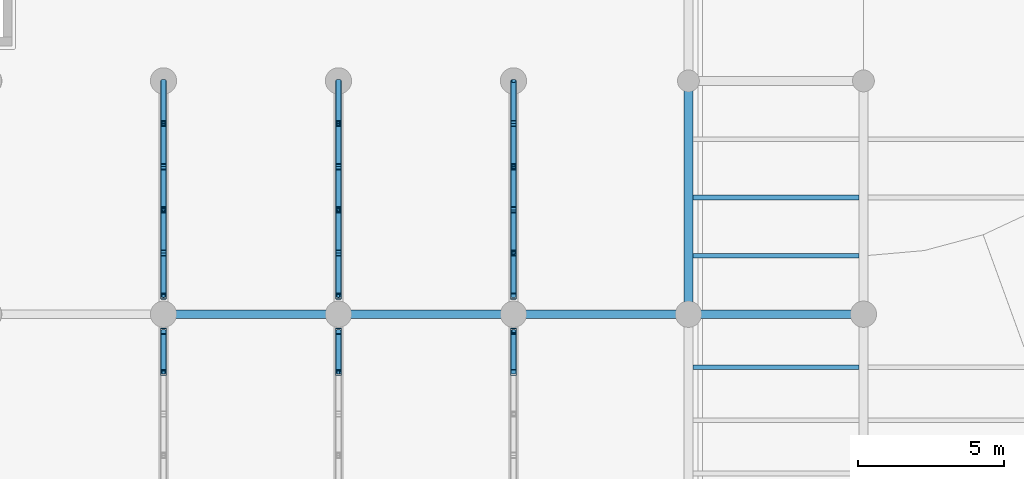
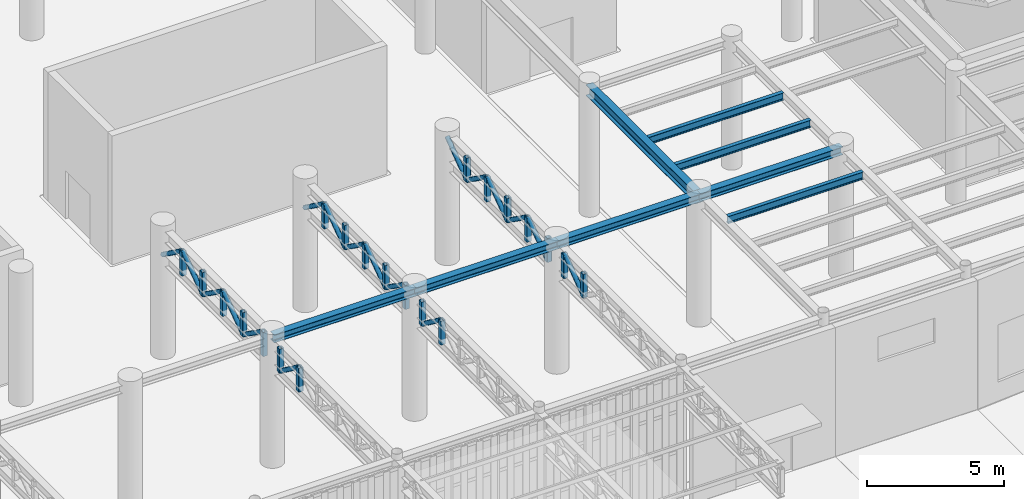
# One storey, part 29 of 118: 39 members, 8 beams.
"""IFC4 building model written with IfcOpenShell, lengths in metres."""

from ifc_helpers import new_model, si_unit, direction, frame, origin, origin_2d, place, context, subcontext, project, spatial, hollow_rectangle, hollow_circle, i_section, extrude, material, material_profile, profile_set, type_object, element, save


model = new_model("IFC4")

# Units and contexts
model_context = context("Model", 3, precision=1e-05, world=origin(), true_north=direction((0.0, 1.0)))
body_context = subcontext(model_context, "Body", "Model", "MODEL_VIEW")
ifc_project = project(units=[si_unit("LENGTHUNIT", "METRE"), si_unit("AREAUNIT", "SQUARE_METRE"), si_unit("VOLUMEUNIT", "CUBIC_METRE"), si_unit("PLANEANGLEUNIT", "RADIAN"), si_unit("MASSUNIT", "GRAM", prefix="KILO")], contexts=[model_context])

# Site, building, storey
site_placement = place(None, origin())
site = spatial("IfcSite", under=ifc_project, at=site_placement, CompositionType="ELEMENT")
building_placement = place(site_placement, origin())
building = spatial("IfcBuilding", under=site, at=building_placement, Name="Kolvaren Corner Interchange", CompositionType="ELEMENT")
storey_placement = place(building_placement, origin())
storey = spatial("IfcBuildingStorey", under=building, at=storey_placement, Name="L01", CompositionType="ELEMENT", Elevation=0.0)

# Beams
ifc_material_1 = material(Name="Steel S355", Category="steel")
ifc_material_profile_1 = material_profile(ifc_material_1, i_section(OverallWidth=0.300048828125, OverallDepth=0.35009765625, WebThickness=0.010009765625, FlangeThickness=0.017578125, FilletRadius=0.027099609375, at=origin_2d()), Name="HEA 360")
ifc_profile_set_1 = profile_set([ifc_material_profile_1], Name="Steel S355")
beam_type_1 = type_object("IfcBeamType", Name="BM-HEA360", PredefinedType="BEAM", material=ifc_profile_set_1)
for number, where, z_axis, x_axis, name in (
    (1, (96.0, 34.0, 5.574951171875), (1.0, 0.0, 0.0), (0.0, 1.0, 0.0), "Storey L01 Grid X Primary Girder 0238"),
    (2, (102.0, 34.0, 5.574951171875), (1.0, 0.0, 0.0), (0.0, 1.0, 0.0), "Storey L01 Grid X Primary Girder 0239"),
    (3, (108.0, 34.0, 5.574951171875), (1.0, 0.0, 0.0), (0.0, 1.0, 0.0), "Storey L01 Grid X Primary Girder 0240"),
    (4, (114.0, 34.0, 5.574951171875), (1.0, 0.0, 0.0), (0.0, 1.0, 0.0), "Storey L01 Grid X Primary Girder 0241"),
):
    element("IfcBeam", number, at=place(storey_placement, frame(where, z_axis=z_axis, x_axis=x_axis)), inside=storey, type_object=beam_type_1, Name=name, PredefinedType="BEAM", context=body_context, shape_type="SweptSolid", body=[
        extrude(i_section(OverallWidth=0.300048828125, OverallDepth=0.35009765625, WebThickness=0.010009765625, FlangeThickness=0.017578125, FilletRadius=0.027099609375, at=origin_2d()), origin(), (0.0, 0.0, 1.0), 6.0),
    ])
ifc_material_2 = material(Name="Steel S355", Category="steel")
ifc_material_profile_2 = material_profile(ifc_material_2, i_section(OverallWidth=0.300048828125, OverallDepth=0.489990234375, WebThickness=0.011962890625, FlangeThickness=0.02294921875, FilletRadius=0.027099609375, at=origin_2d()), Name="HEA 500")
ifc_profile_set_2 = profile_set([ifc_material_profile_2], Name="Steel S355")
beam_type_2 = type_object("IfcBeamType", Name="BM-HEA500", PredefinedType="BEAM", material=ifc_profile_set_2)
beam_placement = place(storey_placement, frame((114.0, 34.0, 5.5048828125), z_axis=(0.0, 1.0, 0.0), x_axis=(-1.0, 0.0, 0.0)))
element("IfcBeam", 5, at=beam_placement, inside=storey, type_object=beam_type_2, Name="Storey L01 Grid Y Primary Girder 0359", PredefinedType="BEAM", context=body_context, shape_type="SweptSolid", body=[
    extrude(i_section(OverallWidth=0.300048828125, OverallDepth=0.489990234375, WebThickness=0.011962890625, FlangeThickness=0.02294921875, FilletRadius=0.027099609375, at=origin_2d()), origin(), (0.0, 0.0, 1.0), 8.0),
])
ifc_material_3 = material(Name="Steel S355", Category="steel")
ifc_material_profile_3 = material_profile(ifc_material_3, i_section(OverallWidth=0.159912109375, OverallDepth=0.330078125, WebThickness=0.007568359375, FlangeThickness=0.011474609375, FilletRadius=0.01806640625, at=origin_2d()), Name="IPE 330")
ifc_profile_set_3 = profile_set([ifc_material_profile_3], Name="Steel S355")
beam_type_3 = type_object("IfcBeamType", Name="JS-IPE330", PredefinedType="JOIST", material=ifc_profile_set_3)
for number, where, z_axis, x_axis, name in (
    (6, (114.14990234375, 32.179931640625, 5.5849609375), (1.0, 0.0, 0.0), (0.0, 1.0, 0.0), "Storey L01 Composite Floor Joist 0364"),
    (7, (114.14990234375, 36.0, 5.5849609375), (1.0, 0.0, 0.0), (0.0, 1.0, 0.0), "Storey L01 Composite Floor Joist 0365"),
    (8, (114.14990234375, 38.0, 5.5849609375), (1.0, 0.0, 0.0), (0.0, 1.0, 0.0), "Storey L01 Composite Floor Joist 0366"),
):
    element("IfcBeam", number, at=place(storey_placement, frame(where, z_axis=z_axis, x_axis=x_axis)), inside=storey, type_object=beam_type_3, Name=name, PredefinedType="JOIST", context=body_context, shape_type="SweptSolid", body=[
        extrude(i_section(OverallWidth=0.159912109375, OverallDepth=0.330078125, WebThickness=0.007568359375, FlangeThickness=0.011474609375, FilletRadius=0.01806640625, at=origin_2d()), origin(), (0.0, 0.0, 1.0), 5.7001953125),
    ])

# Members
ifc_material_4 = material(Name="Steel S355", Category="steel")
ifc_material_profile_4 = material_profile(ifc_material_4, hollow_circle(Radius=0.096923828125, WallThickness=0.010009765625, at=origin_2d()), Name="CHS 193.7x10.0")
ifc_profile_set_4 = profile_set([ifc_material_profile_4], Name="Steel S355")
member_type_1 = type_object("IfcMemberType", Name="MEM-BR-CHS194", PredefinedType="BRACE", material=ifc_profile_set_4)
member_1_placement = place(storey_placement, frame((96.0, 32.0, 5.469970703125), z_axis=(0.0, 0.801320731352, -0.59823497516), x_axis=(-1.0, 0.0, 0.0)))
element("IfcMember", 9, at=member_1_placement, inside=storey, type_object=member_type_1, Name="South Portal Cantilever Roof Truss L02 Line 5 Diagonal 12", PredefinedType="BRACE", context=body_context, shape_type="SweptSolid", body=[
    extrude(hollow_circle(Radius=0.096923828125, WallThickness=0.010009765625, at=origin_2d()), origin(), (0.0, 0.0, 1.0), 1.77197265625),
])
for number, where, z_axis, x_axis, name in (
    (10, (96.0, 34.6201171875, 5.469970703125), (0.0, 0.812971611599, -0.582303321934), (-1.0, 0.0, 0.0), "South Portal Cantilever Roof Truss L02 Line 5 Diagonal 14"),
    (11, (96.0, 36.10009765625, 4.409912109375), (0.0, 0.812971611599, 0.582303321934), (-1.0, 0.0, 0.0), "South Portal Cantilever Roof Truss L02 Line 5 Diagonal 15"),
    (12, (96.0, 37.580078125, 5.469970703125), (0.0, 0.812971611599, -0.582303321934), (-1.0, 0.0, 0.0), "South Portal Cantilever Roof Truss L02 Line 5 Diagonal 16"),
    (13, (96.0, 39.06005859375, 4.409912109375), (0.0, 0.812971611599, 0.582303321934), (-1.0, 0.0, 0.0), "South Portal Cantilever Roof Truss L02 Line 5 Diagonal 17"),
):
    element("IfcMember", number, at=place(storey_placement, frame(where, z_axis=z_axis, x_axis=x_axis)), inside=storey, type_object=member_type_1, Name=name, PredefinedType="BRACE", context=body_context, shape_type="SweptSolid", body=[
        extrude(hollow_circle(Radius=0.096923828125, WallThickness=0.010009765625, at=origin_2d()), origin(), (0.0, 0.0, 1.0), 1.820556640625),
    ])
member_2_placement = place(storey_placement, frame((96.0, 40.5400390625, 5.469970703125), z_axis=(0.0, 0.809192259471, -0.58754394492), x_axis=(-1.0, 0.0, 0.0)))
element("IfcMember", 14, at=member_2_placement, inside=storey, type_object=member_type_1, Name="South Portal Cantilever Roof Truss L02 Line 5 Diagonal 18", PredefinedType="BRACE", context=body_context, shape_type="SweptSolid", body=[
    extrude(hollow_circle(Radius=0.096923828125, WallThickness=0.010009765625, at=origin_2d()), origin(), (0.0, 0.0, 1.0), 1.80419921875),
])
member_3_placement = place(storey_placement, frame((102.0, 32.0, 5.469970703125), z_axis=(0.0, 0.801320731352, -0.59823497516), x_axis=(-1.0, 0.0, 0.0)))
element("IfcMember", 15, at=member_3_placement, inside=storey, type_object=member_type_1, Name="South Portal Cantilever Roof Truss L02 Line 6 Diagonal 12", PredefinedType="BRACE", context=body_context, shape_type="SweptSolid", body=[
    extrude(hollow_circle(Radius=0.096923828125, WallThickness=0.010009765625, at=origin_2d()), origin(), (0.0, 0.0, 1.0), 1.77197265625),
])
for number, where, z_axis, x_axis, name in (
    (16, (102.0, 34.6201171875, 5.469970703125), (0.0, 0.812971611599, -0.582303321934), (-1.0, 0.0, 0.0), "South Portal Cantilever Roof Truss L02 Line 6 Diagonal 14"),
    (17, (102.0, 36.10009765625, 4.409912109375), (0.0, 0.812971611599, 0.582303321934), (-1.0, 0.0, 0.0), "South Portal Cantilever Roof Truss L02 Line 6 Diagonal 15"),
    (18, (102.0, 37.580078125, 5.469970703125), (0.0, 0.812971611599, -0.582303321934), (-1.0, 0.0, 0.0), "South Portal Cantilever Roof Truss L02 Line 6 Diagonal 16"),
    (19, (102.0, 39.06005859375, 4.409912109375), (0.0, 0.812971611599, 0.582303321934), (-1.0, 0.0, 0.0), "South Portal Cantilever Roof Truss L02 Line 6 Diagonal 17"),
):
    element("IfcMember", number, at=place(storey_placement, frame(where, z_axis=z_axis, x_axis=x_axis)), inside=storey, type_object=member_type_1, Name=name, PredefinedType="BRACE", context=body_context, shape_type="SweptSolid", body=[
        extrude(hollow_circle(Radius=0.096923828125, WallThickness=0.010009765625, at=origin_2d()), origin(), (0.0, 0.0, 1.0), 1.820556640625),
    ])
member_4_placement = place(storey_placement, frame((102.0, 40.5400390625, 5.469970703125), z_axis=(0.0, 0.809192259471, -0.58754394492), x_axis=(-1.0, 0.0, 0.0)))
element("IfcMember", 20, at=member_4_placement, inside=storey, type_object=member_type_1, Name="South Portal Cantilever Roof Truss L02 Line 6 Diagonal 18", PredefinedType="BRACE", context=body_context, shape_type="SweptSolid", body=[
    extrude(hollow_circle(Radius=0.096923828125, WallThickness=0.010009765625, at=origin_2d()), origin(), (0.0, 0.0, 1.0), 1.80419921875),
])
member_5_placement = place(storey_placement, frame((108.0, 32.0, 4.409912109375), z_axis=(0.0, 0.801320731352, 0.59823497516), x_axis=(-1.0, 0.0, 0.0)))
element("IfcMember", 21, at=member_5_placement, inside=storey, type_object=member_type_1, Name="South Portal Cantilever Roof Truss L02 Line 7 Diagonal 11", PredefinedType="BRACE", context=body_context, shape_type="SweptSolid", body=[
    extrude(hollow_circle(Radius=0.096923828125, WallThickness=0.010009765625, at=origin_2d()), origin(), (0.0, 0.0, 1.0), 1.77197265625),
])
for number, where, z_axis, x_axis, name in (
    (22, (108.0, 34.6201171875, 4.409912109375), (0.0, 0.812971611599, 0.582303321934), (-1.0, 0.0, 0.0), "South Portal Cantilever Roof Truss L02 Line 7 Diagonal 13"),
    (23, (108.0, 36.10009765625, 5.469970703125), (0.0, 0.812971611599, -0.582303321934), (-1.0, 0.0, 0.0), "South Portal Cantilever Roof Truss L02 Line 7 Diagonal 14"),
    (24, (108.0, 37.580078125, 4.409912109375), (0.0, 0.812971611599, 0.582303321934), (-1.0, 0.0, 0.0), "South Portal Cantilever Roof Truss L02 Line 7 Diagonal 15"),
    (25, (108.0, 39.06005859375, 5.469970703125), (0.0, 0.812971611599, -0.582303321934), (-1.0, 0.0, 0.0), "South Portal Cantilever Roof Truss L02 Line 7 Diagonal 16"),
):
    element("IfcMember", number, at=place(storey_placement, frame(where, z_axis=z_axis, x_axis=x_axis)), inside=storey, type_object=member_type_1, Name=name, PredefinedType="BRACE", context=body_context, shape_type="SweptSolid", body=[
        extrude(hollow_circle(Radius=0.096923828125, WallThickness=0.010009765625, at=origin_2d()), origin(), (0.0, 0.0, 1.0), 1.820556640625),
    ])
member_6_placement = place(storey_placement, frame((108.0, 40.5400390625, 4.409912109375), z_axis=(0.0, 0.809192259471, 0.58754394492), x_axis=(-1.0, 0.0, 0.0)))
element("IfcMember", 26, at=member_6_placement, inside=storey, type_object=member_type_1, Name="South Portal Cantilever Roof Truss L02 Line 7 Diagonal 17", PredefinedType="BRACE", context=body_context, shape_type="SweptSolid", body=[
    extrude(hollow_circle(Radius=0.096923828125, WallThickness=0.010009765625, at=origin_2d()), origin(), (0.0, 0.0, 1.0), 1.80419921875),
])
ifc_material_5 = material(Name="Steel S355", Category="steel")
ifc_material_profile_5 = material_profile(ifc_material_5, hollow_rectangle(XDim=0.199951171875, YDim=0.199951171875, WallThickness=0.010009765625, InnerFilletRadius=0.010009765625, OuterFilletRadius=0.02001953125, at=origin_2d()), Name="SHS 200x200x10.0")
ifc_profile_set_5 = profile_set([ifc_material_profile_5], Name="Steel S355")
member_type_2 = type_object("IfcMemberType", Name="MEM-PT-SHS200", PredefinedType="POST", material=ifc_profile_set_5)
for number, where, z_axis, x_axis, name in (
    (27, (96.0, 32.0, 4.409912109375), (0.0, 0.0, 1.0), (1.0, 0.0, 0.0), "South Portal Cantilever Roof Truss L02 Line 5 Web Post 12"),
    (28, (96.0, 33.419921875, 4.409912109375), (0.0, 0.0, 1.0), (1.0, 0.0, 0.0), "South Portal Cantilever Roof Truss L02 Line 5 Web Post 13"),
    (29, (96.0, 34.6201171875, 4.409912109375), (0.0, 0.0, 1.0), (1.0, 0.0, 0.0), "South Portal Cantilever Roof Truss L02 Line 5 Web Post 14"),
    (30, (96.0, 36.10009765625, 4.409912109375), (0.0, 0.0, 1.0), (1.0, 0.0, 0.0), "South Portal Cantilever Roof Truss L02 Line 5 Web Post 15"),
    (31, (96.0, 37.580078125, 4.409912109375), (0.0, 0.0, 1.0), (1.0, 0.0, 0.0), "South Portal Cantilever Roof Truss L02 Line 5 Web Post 16"),
    (32, (96.0, 39.06005859375, 4.409912109375), (0.0, 0.0, 1.0), (1.0, 0.0, 0.0), "South Portal Cantilever Roof Truss L02 Line 5 Web Post 17"),
    (33, (96.0, 40.5400390625, 4.409912109375), (0.0, 0.0, 1.0), (1.0, 0.0, 0.0), "South Portal Cantilever Roof Truss L02 Line 5 Web Post 18"),
    (34, (102.0, 32.0, 4.409912109375), (0.0, 0.0, 1.0), (1.0, 0.0, 0.0), "South Portal Cantilever Roof Truss L02 Line 6 Web Post 12"),
    (35, (102.0, 33.419921875, 4.409912109375), (0.0, 0.0, 1.0), (1.0, 0.0, 0.0), "South Portal Cantilever Roof Truss L02 Line 6 Web Post 13"),
    (36, (102.0, 34.6201171875, 4.409912109375), (0.0, 0.0, 1.0), (1.0, 0.0, 0.0), "South Portal Cantilever Roof Truss L02 Line 6 Web Post 14"),
    (37, (102.0, 36.10009765625, 4.409912109375), (0.0, 0.0, 1.0), (1.0, 0.0, 0.0), "South Portal Cantilever Roof Truss L02 Line 6 Web Post 15"),
    (38, (102.0, 37.580078125, 4.409912109375), (0.0, 0.0, 1.0), (1.0, 0.0, 0.0), "South Portal Cantilever Roof Truss L02 Line 6 Web Post 16"),
    (39, (102.0, 39.06005859375, 4.409912109375), (0.0, 0.0, 1.0), (1.0, 0.0, 0.0), "South Portal Cantilever Roof Truss L02 Line 6 Web Post 17"),
    (40, (102.0, 40.5400390625, 4.409912109375), (0.0, 0.0, 1.0), (1.0, 0.0, 0.0), "South Portal Cantilever Roof Truss L02 Line 6 Web Post 18"),
    (41, (108.0, 32.0, 4.409912109375), (0.0, 0.0, 1.0), (1.0, 0.0, 0.0), "South Portal Cantilever Roof Truss L02 Line 7 Web Post 11"),
    (42, (108.0, 33.419921875, 4.409912109375), (0.0, 0.0, 1.0), (1.0, 0.0, 0.0), "South Portal Cantilever Roof Truss L02 Line 7 Web Post 12"),
    (43, (108.0, 34.6201171875, 4.409912109375), (0.0, 0.0, 1.0), (1.0, 0.0, 0.0), "South Portal Cantilever Roof Truss L02 Line 7 Web Post 13"),
    (44, (108.0, 36.10009765625, 4.409912109375), (0.0, 0.0, 1.0), (1.0, 0.0, 0.0), "South Portal Cantilever Roof Truss L02 Line 7 Web Post 14"),
    (45, (108.0, 37.580078125, 4.409912109375), (0.0, 0.0, 1.0), (1.0, 0.0, 0.0), "South Portal Cantilever Roof Truss L02 Line 7 Web Post 15"),
    (46, (108.0, 39.06005859375, 4.409912109375), (0.0, 0.0, 1.0), (1.0, 0.0, 0.0), "South Portal Cantilever Roof Truss L02 Line 7 Web Post 16"),
    (47, (108.0, 40.5400390625, 4.409912109375), (0.0, 0.0, 1.0), (1.0, 0.0, 0.0), "South Portal Cantilever Roof Truss L02 Line 7 Web Post 17"),
):
    element("IfcMember", number, at=place(storey_placement, frame(where, z_axis=z_axis, x_axis=x_axis)), inside=storey, type_object=member_type_2, Name=name, PredefinedType="POST", context=body_context, shape_type="SweptSolid", body=[
        extrude(hollow_rectangle(XDim=0.199951171875, YDim=0.199951171875, WallThickness=0.010009765625, InnerFilletRadius=0.010009765625, OuterFilletRadius=0.02001953125, at=origin_2d()), origin(), (0.0, 0.0, 1.0), 1.06005859375),
    ])

save(model, "model.ifc")
